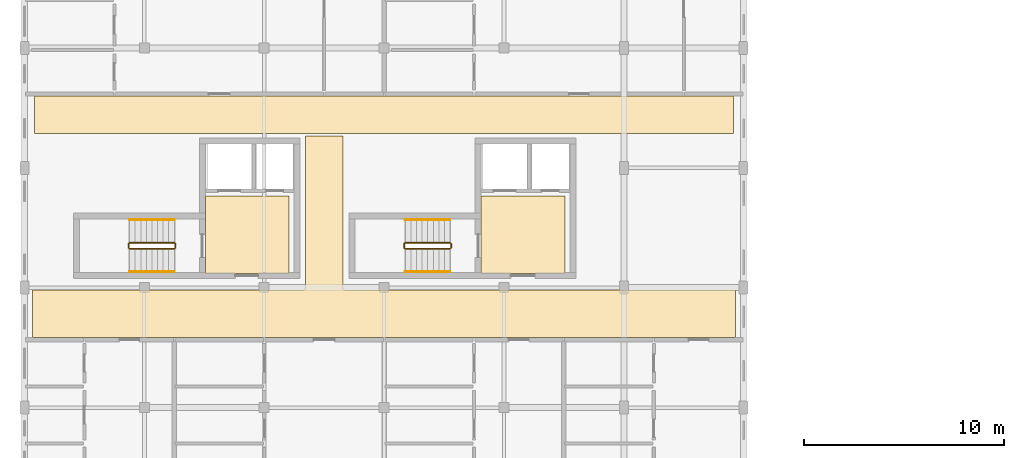
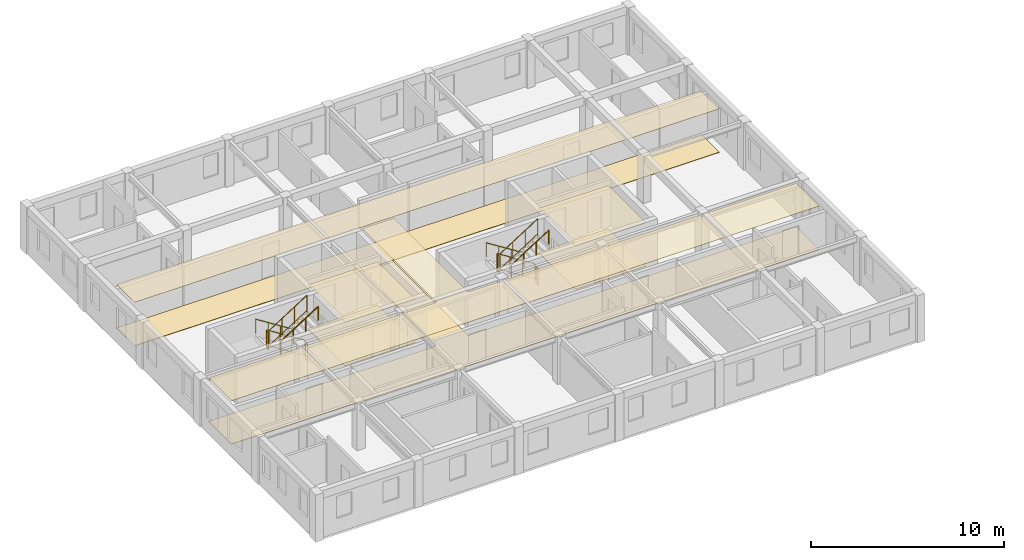
# One storey, part 20 of 23: 12 railings, 8 coverings.
"""IFC4 building model written with IfcOpenShell, lengths in metres."""

import ifcopenshell
import ifcopenshell.guid

model = None  # the IFC model being written
_history = None  # IfcOwnerHistory: only IFC2X3 demands one
_inside = {}  # id of a spatial element -> (the spatial element, [elements in it])
_under = {}  # id of a project, library or spatial element -> (it, [spatial elements below it])
_declared = {}  # id of a project -> (the project, [libraries it declares])
_typed = {}  # id of a type object -> (the type object, [elements of that type])
_made_of = {}  # id of a material, layer set ... -> (it, [elements and type objects made of it])


def new_model(schema):
    """Start an empty IFC model of exactly this schema.

    Asked for "IFC4X3", IfcOpenShell would pick the latest addendum, in which some entities
    have other attributes; the version numbers below select the first issue.
    IFC2X3 requires an IfcOwnerHistory on every rooted entity: one is made here for all.
    """
    global model, _history
    if schema == "IFC4X3":
        model = ifcopenshell.file(schema_version=(4, 3, 0, 0))
    else:
        model = ifcopenshell.file(schema=schema)
    _inside.clear()
    _under.clear()
    _declared.clear()
    _typed.clear()
    _made_of.clear()
    _history = None
    if model.schema == "IFC2X3":
        org = make("IfcOrganization", Name="unknown")
        user = make(
            "IfcPersonAndOrganization",
            ThePerson=make("IfcPerson", FamilyName="unknown"),
            TheOrganization=org,
        )
        app = make(
            "IfcApplication",
            ApplicationDeveloper=org,
            Version="unknown",
            ApplicationFullName="unknown",
            ApplicationIdentifier="unknown",
        )
        _history = make(
            "IfcOwnerHistory",
            OwningUser=user,
            OwningApplication=app,
            ChangeAction="ADDED",
            CreationDate=0,
        )
    return model


def make(cls, **values):
    """One entity of the class cls with the attributes given. An attribute that is None is left unset."""
    return model.create_entity(
        cls, **{name: value for name, value in values.items() if value is not None}
    )


def rooted(cls, **values):
    """An entity with a GlobalId (a new one), such as an element, a storey or a relation."""
    return make(cls, GlobalId=ifcopenshell.guid.new(), OwnerHistory=_history, **values)


def si_unit(unit_type, name, prefix=None):
    """IfcSIUnit, for example si_unit("LENGTHUNIT", "METRE", prefix="MILLI")."""
    return make("IfcSIUnit", UnitType=unit_type, Prefix=prefix, Name=name)


def assignment(units):
    """IfcUnitAssignment: the units of a project."""
    return None if units is None else make("IfcUnitAssignment", Units=units)


def point(xyz):
    """IfcCartesianPoint."""
    return None if xyz is None else make("IfcCartesianPoint", Coordinates=xyz)


def direction(xyz):
    """IfcDirection."""
    return None if xyz is None else make("IfcDirection", DirectionRatios=xyz)


def frame(location, z_axis=None, x_axis=None):
    """IfcAxis2Placement3D, a coordinate frame: its origin and axes. An axis left out is left unset."""
    return make(
        "IfcAxis2Placement3D",
        Location=point(location),
        Axis=direction(z_axis),
        RefDirection=direction(x_axis),
    )


def frame_2d(location, x_axis=None):
    """IfcAxis2Placement2D, a coordinate frame in the plane: its origin and x axis."""
    return make(
        "IfcAxis2Placement2D", Location=point(location), RefDirection=direction(x_axis)
    )


def origin():
    """The frame at (0, 0, 0) with its axes left unset."""
    return frame((0.0, 0.0, 0.0))


def origin_2d():
    """The frame at (0, 0) in the plane with its x axis left unset."""
    return frame_2d((0.0, 0.0))


def place(relative_to, where):
    """IfcLocalPlacement: puts the frame where relative to a parent placement (None: the world)."""
    return make(
        "IfcLocalPlacement", PlacementRelTo=relative_to, RelativePlacement=where
    )


def context(
    kind, dimensions, precision=None, world=None, true_north=None, identifier=None
):
    """IfcGeometricRepresentationContext, for example the 3D "Model" context."""
    return make(
        "IfcGeometricRepresentationContext",
        ContextIdentifier=identifier,
        ContextType=kind,
        CoordinateSpaceDimension=dimensions,
        Precision=precision,
        WorldCoordinateSystem=world,
        TrueNorth=true_north,
    )


def subcontext(parent, identifier, kind, view, scale=None):
    """IfcGeometricRepresentationSubContext, for example "Body" below "Model"."""
    return make(
        "IfcGeometricRepresentationSubContext",
        ContextIdentifier=identifier,
        ContextType=kind,
        ParentContext=parent,
        TargetScale=scale,
        TargetView=view,
    )


def project(units=None, contexts=None):
    """IfcProject with its units and contexts."""
    return rooted(
        "IfcProject",
        Name="project",
        RepresentationContexts=contexts,
        UnitsInContext=assignment(units),
    )


def spatial(cls, under=None, at=None, **own):
    """A site, building, storey or space (cls), placed at a placement, below another one or the project."""
    s = rooted(cls, ObjectPlacement=at, **own)
    if under is not None:
        _under.setdefault(under.id(), (under, []))[1].append(s)
    return s


def polyline(points):
    """IfcPolyline through the points."""
    return make("IfcPolyline", Points=[point(p) for p in points])


def profile(cls, at=None, kind="AREA", **sizes):
    """A parametric profile (cls). Its sizes go by their IFC names, for example OverallWidth=200.0."""
    return make(cls, ProfileType=kind, Position=at, **sizes)


def circle(**sizes):
    """IfcCircleProfileDef."""
    return profile("IfcCircleProfileDef", **sizes)


def outline(outer, holes=None, kind="AREA"):
    """IfcArbitraryClosedProfileDef: a profile drawn as a closed curve; with holes, ...WithVoids."""
    if holes is None:
        return make("IfcArbitraryClosedProfileDef", ProfileType=kind, OuterCurve=outer)
    return make(
        "IfcArbitraryProfileDefWithVoids",
        ProfileType=kind,
        OuterCurve=outer,
        InnerCurves=holes,
    )


def extrude(swept, where, along, depth):
    """IfcExtrudedAreaSolid: the profile swept, set in the frame where, extruded along a direction by depth."""
    return make(
        "IfcExtrudedAreaSolid",
        SweptArea=swept,
        Position=where,
        ExtrudedDirection=direction(along),
        Depth=depth,
    )


def shape(context_of_items, identifier, shape_type, items):
    """IfcShapeRepresentation: the items that make up one representation, for example the "Body"."""
    return make(
        "IfcShapeRepresentation",
        ContextOfItems=context_of_items,
        RepresentationIdentifier=identifier,
        RepresentationType=shape_type,
        Items=items,
    )


def material(Name=None, Category=None):
    """IfcMaterial."""
    return make("IfcMaterial", Name=Name, Category=Category)


def layer(
    of_material, thickness, ventilated=None, Name=None, Category=None, Priority=None
):
    """IfcMaterialLayer: one layer of a wall or slab, of a material (None: an air gap)."""
    return make(
        "IfcMaterialLayer",
        Material=of_material,
        LayerThickness=thickness,
        IsVentilated=ventilated,
        Name=Name,
        Category=Category,
        Priority=Priority,
    )


def layer_set(layers, Name=None):
    """IfcMaterialLayerSet."""
    return make("IfcMaterialLayerSet", MaterialLayers=layers, LayerSetName=Name)


def made_of(thing, what):
    """Note that an element or type object is made of a material, layer set ...; save() writes the relation."""
    if what is not None:
        _made_of.setdefault(what.id(), (what, []))[1].append(thing)
    return thing


def type_object(cls, material=None, **own):
    """A type object (cls), such as IfcWallType, which elements share."""
    return made_of(rooted(cls, **own), material)


def element(
    cls,
    number,
    at=None,
    inside=None,
    cuts=None,
    type_object=None,
    material=None,
    context=None,
    identifier="Body",
    shape_type=None,
    held_by="IfcProductDefinitionShape",
    body=None,
    shapes=None,
    **own,
):
    """One element of the class cls, such as IfcWall. Its Tag is "e" and its number.

    at: its placement. inside: the storey or other place that contains it. cuts: it is an
    opening in that element (IfcRelVoidsElement). A single representation is given by context,
    identifier, shape_type and body (its items); several are given by shapes. held_by: the class
    of the entity that holds the representations. save() writes the other relations.
    """
    e = rooted(cls, Tag="e%d" % number, ObjectPlacement=at, **own)
    if body is not None:
        shapes = [shape(context, identifier, shape_type, body)]
    if shapes is not None:
        e.Representation = make(held_by, Representations=shapes)
    if inside is not None:
        _inside.setdefault(inside.id(), (inside, []))[1].append(e)
    if cuts is not None:
        rooted(
            "IfcRelVoidsElement", RelatingBuildingElement=cuts, RelatedOpeningElement=e
        )
    if type_object is not None:
        _typed.setdefault(type_object.id(), (type_object, []))[1].append(e)
    return made_of(e, material)


def aggregate(whole, parts):
    """IfcRelAggregates: a whole, such as a stair, and the parts it consists of."""
    return rooted("IfcRelAggregates", RelatingObject=whole, RelatedObjects=parts)


def save(model, path):
    """Write the relations noted so far, then the file.

    IfcRelAggregates (storeys below a building ...), IfcRelContainedInSpatialStructure (elements
    in a storey), IfcRelDefinesByType, IfcRelAssociatesMaterial and IfcRelDeclares: one each for
    every whole, place, type object, material and project.
    """
    for whole, parts in _under.values():
        aggregate(whole, parts)
    for where, things in _inside.values():
        rooted(
            "IfcRelContainedInSpatialStructure",
            RelatedElements=things,
            RelatingStructure=where,
        )
    for kind, things in _typed.values():
        rooted("IfcRelDefinesByType", RelatedObjects=things, RelatingType=kind)
    for what, things in _made_of.values():
        rooted("IfcRelAssociatesMaterial", RelatedObjects=things, RelatingMaterial=what)
    for by, libraries in _declared.values():
        rooted("IfcRelDeclares", RelatingContext=by, RelatedDefinitions=libraries)
    model.write(path)


model = new_model("IFC4")

# Units and contexts
model_context = context("Model", 3, precision=1e-05, world=origin(), true_north=direction((0.0, 1.0)))
body_context = subcontext(model_context, "Body", "Model", "MODEL_VIEW")
ifc_project = project(units=[si_unit("LENGTHUNIT", "METRE"), si_unit("AREAUNIT", "SQUARE_METRE"), si_unit("VOLUMEUNIT", "CUBIC_METRE"), si_unit("PLANEANGLEUNIT", "RADIAN"), si_unit("MASSUNIT", "GRAM", prefix="KILO"), si_unit("POWERUNIT", "WATT"), si_unit("THERMODYNAMICTEMPERATUREUNIT", "KELVIN")], contexts=[model_context])

# Site, building, storey
site_placement = place(None, origin())
site = spatial("IfcSite", under=ifc_project, at=site_placement, CompositionType="ELEMENT")
building_placement = place(site_placement, origin())
building = spatial("IfcBuilding", under=site, at=building_placement, Name="Ruvembo Vaulted Housing Court", CompositionType="ELEMENT")
storey_placement = place(building_placement, frame((0.0, 0.0, 26.89990234375)))
storey = spatial("IfcBuildingStorey", under=building, at=storey_placement, Name="L08", CompositionType="ELEMENT", Elevation=26.89990234375)

# Coverings
ifc_material_1 = material(Name="Perforated Mineral-Fibre Acoustic Tile", Category="gypsum")
ifc_layer_1 = layer(ifc_material_1, 0.02001953125, Name="Perforated Mineral-Fibre Acoustic Tile")
ifc_layer_set_1 = layer_set([ifc_layer_1], Name="Perforated Mineral-Fibre Acoustic Tile")
covering_type_1 = type_object("IfcCoveringType", Name="COV-CEIL-ACOUST", PredefinedType="CEILING", material=ifc_layer_set_1)
covering_1_placement = place(storey_placement, frame((0.0, 0.0, 2.75)))
element("IfcCovering", 1, at=covering_1_placement, inside=storey, type_object=covering_type_1, Name="Firefighting Lift Lobby A1 Ceiling", PredefinedType="CEILING", context=body_context, shape_type="SweptSolid", body=[
    extrude(outline(polyline([(13.25, 22.60009765625), (9.050048828125, 22.60009765625), (9.050048828125, 18.699951171875), (13.25, 18.699951171875), (13.25, 22.60009765625)])), origin(), (0.0, 0.0, 1.0), 0.02001953125),
])
covering_2_placement = place(storey_placement, frame((0.0, 0.0, 2.75)))
element("IfcCovering", 2, at=covering_2_placement, inside=storey, type_object=covering_type_1, Name="Firefighting Lift Lobby A2 Ceiling", PredefinedType="CEILING", context=body_context, shape_type="SweptSolid", body=[
    extrude(outline(polyline([(27.050048828125, 22.60009765625), (22.85009765625, 22.60009765625), (22.85009765625, 18.699951171875), (27.050048828125, 18.699951171875), (27.050048828125, 22.60009765625)])), origin(), (0.0, 0.0, 1.0), 0.02001953125),
])
covering_3_placement = place(storey_placement, frame((0.0, 0.0, 2.75)))
element("IfcCovering", 3, at=covering_3_placement, inside=storey, type_object=covering_type_1, Name="Block A L08 Corridor Ceiling", PredefinedType="CEILING", context=body_context, shape_type="SweptSolid", body=[
    extrude(outline(polyline([(35.590087890625, 15.510009765625), (35.590087890625, 17.889892578125), (16.050048828125, 17.889892578125), (16.039306640625, 17.890380859375), (16.028564453125, 17.89208984375), (16.01806640625, 17.894775390625), (16.0078125, 17.8984375), (15.998046875, 17.903076171875), (15.989013671875, 17.908447265625), (15.980224609375, 17.9150390625), (15.97216796875, 17.922119140625), (15.965087890625, 17.93017578125), (15.95849609375, 17.93896484375), (15.952880859375, 17.947998046875), (15.948486328125, 17.9580078125), (15.944580078125, 17.968017578125), (15.942138671875, 17.978515625), (15.9404296875, 17.9892578125), (15.93994140625, 18.0), (15.93994140625, 25.590087890625), (14.06005859375, 25.590087890625), (14.06005859375, 18.0), (14.0595703125, 17.9892578125), (14.057861328125, 17.978515625), (14.055419921875, 17.968017578125), (14.051513671875, 17.9580078125), (14.047119140625, 17.947998046875), (14.04150390625, 17.93896484375), (14.034912109375, 17.93017578125), (14.02783203125, 17.922119140625), (14.019775390625, 17.9150390625), (14.010986328125, 17.908447265625), (14.001953125, 17.903076171875), (13.9921875, 17.8984375), (13.98193359375, 17.894775390625), (13.971435546875, 17.89208984375), (13.960693359375, 17.890380859375), (13.949951171875, 17.889892578125), (0.409912109375, 17.889892578125), (0.409912109375, 15.510009765625), (35.590087890625, 15.510009765625)])), origin(), (0.0, 0.0, 1.0), 0.02001953125),
])
covering_4_placement = place(storey_placement, frame((0.0, 0.0, 2.75)))
element("IfcCovering", 4, at=covering_4_placement, inside=storey, type_object=covering_type_1, Name="Block A L08 North Sub-Corridor Ceiling", PredefinedType="CEILING", context=body_context, shape_type="SweptSolid", body=[
    extrude(outline(polyline([(0.510009765625, 25.7099609375), (35.489990234375, 25.7099609375), (35.489990234375, 27.590087890625), (0.510009765625, 27.590087890625), (0.510009765625, 25.7099609375)])), origin(), (0.0, 0.0, 1.0), 0.02001953125),
])
ifc_material_2 = material(Name="Polished Cement-Aggregate Terrazzo", Category="stone")
ifc_layer_2 = layer(ifc_material_2, 0.02197265625, Name="Polished Cement-Aggregate Terrazzo")
ifc_layer_set_2 = layer_set([ifc_layer_2], Name="Polished Cement-Aggregate Terrazzo")
covering_type_2 = type_object("IfcCoveringType", Name="COV-FLR-CERAMIC", PredefinedType="FLOORING", material=ifc_layer_set_2)
covering_5_placement = place(storey_placement, origin())
element("IfcCovering", 5, at=covering_5_placement, inside=storey, type_object=covering_type_2, Name="Firefighting Lift Lobby A1 Flooring", PredefinedType="FLOORING", context=body_context, shape_type="SweptSolid", body=[
    extrude(outline(polyline([(13.25, 22.60009765625), (9.050048828125, 22.60009765625), (9.050048828125, 18.699951171875), (13.25, 18.699951171875), (13.25, 22.60009765625)])), origin(), (0.0, 0.0, 1.0), 0.022216796875),
])
covering_6_placement = place(storey_placement, origin())
element("IfcCovering", 6, at=covering_6_placement, inside=storey, type_object=covering_type_2, Name="Firefighting Lift Lobby A2 Flooring", PredefinedType="FLOORING", context=body_context, shape_type="SweptSolid", body=[
    extrude(outline(polyline([(27.050048828125, 22.60009765625), (22.85009765625, 22.60009765625), (22.85009765625, 18.699951171875), (27.050048828125, 18.699951171875), (27.050048828125, 22.60009765625)])), origin(), (0.0, 0.0, 1.0), 0.022216796875),
])
covering_7_placement = place(storey_placement, origin())
element("IfcCovering", 7, at=covering_7_placement, inside=storey, type_object=covering_type_2, Name="Block A L08 Corridor Flooring", PredefinedType="FLOORING", context=body_context, shape_type="SweptSolid", body=[
    extrude(outline(polyline([(35.590087890625, 15.510009765625), (35.590087890625, 17.889892578125), (16.050048828125, 17.889892578125), (16.039306640625, 17.890380859375), (16.028564453125, 17.89208984375), (16.01806640625, 17.894775390625), (16.0078125, 17.8984375), (15.998046875, 17.903076171875), (15.989013671875, 17.908447265625), (15.980224609375, 17.9150390625), (15.97216796875, 17.922119140625), (15.965087890625, 17.93017578125), (15.95849609375, 17.93896484375), (15.952880859375, 17.947998046875), (15.948486328125, 17.9580078125), (15.944580078125, 17.968017578125), (15.942138671875, 17.978515625), (15.9404296875, 17.9892578125), (15.93994140625, 18.0), (15.93994140625, 25.590087890625), (14.06005859375, 25.590087890625), (14.06005859375, 18.0), (14.0595703125, 17.9892578125), (14.057861328125, 17.978515625), (14.055419921875, 17.968017578125), (14.051513671875, 17.9580078125), (14.047119140625, 17.947998046875), (14.04150390625, 17.93896484375), (14.034912109375, 17.93017578125), (14.02783203125, 17.922119140625), (14.019775390625, 17.9150390625), (14.010986328125, 17.908447265625), (14.001953125, 17.903076171875), (13.9921875, 17.8984375), (13.98193359375, 17.894775390625), (13.971435546875, 17.89208984375), (13.960693359375, 17.890380859375), (13.949951171875, 17.889892578125), (0.409912109375, 17.889892578125), (0.409912109375, 15.510009765625), (35.590087890625, 15.510009765625)])), origin(), (0.0, 0.0, 1.0), 0.022216796875),
])
covering_8_placement = place(storey_placement, origin())
element("IfcCovering", 8, at=covering_8_placement, inside=storey, type_object=covering_type_2, Name="Block A L08 North Sub-Corridor Flooring", PredefinedType="FLOORING", context=body_context, shape_type="SweptSolid", body=[
    extrude(outline(polyline([(0.510009765625, 25.7099609375), (35.489990234375, 25.7099609375), (35.489990234375, 27.590087890625), (0.510009765625, 27.590087890625), (0.510009765625, 25.7099609375)])), origin(), (0.0, 0.0, 1.0), 0.022216796875),
])

# Railings
ifc_material_3 = material(Name="Painted Galvanised Steel S275", Category="steel")
ifc_layer_3 = layer(ifc_material_3, 0.06005859375, Name="Painted Galvanised Steel S275")
ifc_layer_set_3 = layer_set([ifc_layer_3], Name="Painted Galvanised Steel S275")
railing_type_1 = type_object("IfcRailingType", Name="RL-STAIR-GR1100", PredefinedType="GUARDRAIL", material=ifc_layer_set_3)
railing_1_placement = place(storey_placement, frame((7.5, 20.25, 0.177978515625)))
element("IfcRailing", 9, at=railing_1_placement, inside=storey, type_object=railing_type_1, Name="L08 ST-A1 stair guard 1", PredefinedType="GUARDRAIL", context=body_context, shape_type="SweptSolid", body=[
    extrude(circle(Radius=0.02392578125, at=origin_2d()), frame((0.0, 0.0, 1.076171875), z_axis=(-0.8442293374, 0.0, 0.53598211339), x_axis=(0.0, -1.0, 0.0)), (0.0, 0.0, 1.0), 2.6533203125),
    extrude(circle(Radius=0.01806640625, at=origin_2d()), frame((0.0, 0.0, 0.1201171875), z_axis=(-0.8442293374, 0.0, 0.53598211339), x_axis=(0.0, -1.0, 0.0)), (0.0, 0.0, 1.0), 2.6533203125),
    extrude(circle(Radius=0.02099609375, at=origin_2d()), origin(), (0.0, 0.0, 1.0), 1.052001953125),
    extrude(circle(Radius=0.02099609375, at=origin_2d()), frame((-0.74658203125, 0.0, 0.47412109375)), (0.0, 0.0, 1.0), 1.052001953125),
    extrude(circle(Radius=0.02099609375, at=origin_2d()), frame((-1.493408203125, 0.0, 0.947998046875)), (0.0, 0.0, 1.0), 1.052001953125),
    extrude(circle(Radius=0.02099609375, at=origin_2d()), frame((-2.239990234375, 0.0, 1.422119140625)), (0.0, 0.0, 1.0), 1.052001953125),
])
railing_2_placement = place(storey_placement, frame((5.2099609375, 20.199951171875, 1.60009765625)))
element("IfcRailing", 10, at=railing_2_placement, inside=storey, type_object=railing_type_1, Name="L08 ST-A1 stair guard 2", PredefinedType="GUARDRAIL", context=body_context, shape_type="SweptSolid", body=[
    extrude(circle(Radius=0.02392578125, at=origin_2d()), frame((0.0, 0.0, 1.076171875), z_axis=(0.0, -1.0, 0.0), x_axis=(1.0, 0.0, 0.0)), (0.0, 0.0, 1.0), 0.199951171875),
    extrude(circle(Radius=0.01806640625, at=origin_2d()), frame((0.0, 0.0, 0.1201171875), z_axis=(0.0, -1.0, 0.0), x_axis=(1.0, 0.0, 0.0)), (0.0, 0.0, 1.0), 0.199951171875),
    extrude(circle(Radius=0.02099609375, at=origin_2d()), origin(), (0.0, 0.0, 1.0), 1.052001953125),
    extrude(circle(Radius=0.02099609375, at=origin_2d()), frame((0.0, -0.199951171875, 0.0)), (0.0, 0.0, 1.0), 1.052001953125),
])
railing_3_placement = place(storey_placement, frame((5.260009765625, 19.949951171875, 1.77783203125)))
element("IfcRailing", 11, at=railing_3_placement, inside=storey, type_object=railing_type_1, Name="L08 ST-A1 stair guard 3", PredefinedType="GUARDRAIL", context=body_context, shape_type="SweptSolid", body=[
    extrude(circle(Radius=0.02392578125, at=origin_2d()), frame((0.0, 0.0, 1.076171875), z_axis=(0.84418770128, 0.0, 0.536047689118), x_axis=(0.0, 1.0, 0.0)), (0.0, 0.0, 1.0), 2.6533203125),
    extrude(circle(Radius=0.01806640625, at=origin_2d()), frame((0.0, 0.0, 0.1201171875), z_axis=(0.84418770128, 0.0, 0.536047689118), x_axis=(0.0, 1.0, 0.0)), (0.0, 0.0, 1.0), 2.6533203125),
    extrude(circle(Radius=0.02099609375, at=origin_2d()), origin(), (0.0, 0.0, 1.0), 1.052001953125),
    extrude(circle(Radius=0.02099609375, at=origin_2d()), frame((0.74658203125, 0.0, 0.47412109375)), (0.0, 0.0, 1.0), 1.052001953125),
    extrude(circle(Radius=0.02099609375, at=origin_2d()), frame((1.493408203125, 0.0, 0.9482421875)), (0.0, 0.0, 1.0), 1.052001953125),
    extrude(circle(Radius=0.02099609375, at=origin_2d()), frame((2.239990234375, 0.0, 1.42236328125)), (0.0, 0.0, 1.0), 1.052001953125),
])
railing_4_placement = place(storey_placement, frame((7.550048828125, 20.199951171875, 0.0)))
element("IfcRailing", 12, at=railing_4_placement, inside=storey, type_object=railing_type_1, Name="L08 ST-A1 stair guard 4", PredefinedType="GUARDRAIL", context=body_context, shape_type="SweptSolid", body=[
    extrude(circle(Radius=0.02392578125, at=origin_2d()), frame((0.0, 0.0, 1.076171875), z_axis=(0.0, -1.0, 0.0), x_axis=(1.0, 0.0, 0.0)), (0.0, 0.0, 1.0), 0.199951171875),
    extrude(circle(Radius=0.01806640625, at=origin_2d()), frame((0.0, 0.0, 0.1201171875), z_axis=(0.0, -1.0, 0.0), x_axis=(1.0, 0.0, 0.0)), (0.0, 0.0, 1.0), 0.199951171875),
    extrude(circle(Radius=0.02099609375, at=origin_2d()), origin(), (0.0, 0.0, 1.0), 1.052001953125),
    extrude(circle(Radius=0.02099609375, at=origin_2d()), frame((0.0, -0.199951171875, 0.0)), (0.0, 0.0, 1.0), 1.052001953125),
])
railing_5_placement = place(storey_placement, frame((21.300048828125, 20.25, 0.177978515625)))
element("IfcRailing", 13, at=railing_5_placement, inside=storey, type_object=railing_type_1, Name="L08 ST-A2 stair guard 1", PredefinedType="GUARDRAIL", context=body_context, shape_type="SweptSolid", body=[
    extrude(circle(Radius=0.02392578125, at=origin_2d()), frame((0.0, 0.0, 1.076171875), z_axis=(-0.8442293374, 0.0, 0.53598211339), x_axis=(0.0, -1.0, 0.0)), (0.0, 0.0, 1.0), 2.6533203125),
    extrude(circle(Radius=0.01806640625, at=origin_2d()), frame((0.0, 0.0, 0.1201171875), z_axis=(-0.8442293374, 0.0, 0.53598211339), x_axis=(0.0, -1.0, 0.0)), (0.0, 0.0, 1.0), 2.6533203125),
    extrude(circle(Radius=0.02099609375, at=origin_2d()), origin(), (0.0, 0.0, 1.0), 1.052001953125),
    extrude(circle(Radius=0.02099609375, at=origin_2d()), frame((-0.74658203125, 0.0, 0.47412109375)), (0.0, 0.0, 1.0), 1.052001953125),
    extrude(circle(Radius=0.02099609375, at=origin_2d()), frame((-1.493408203125, 0.0, 0.947998046875)), (0.0, 0.0, 1.0), 1.052001953125),
    extrude(circle(Radius=0.02099609375, at=origin_2d()), frame((-2.239990234375, 0.0, 1.422119140625)), (0.0, 0.0, 1.0), 1.052001953125),
])
railing_6_placement = place(storey_placement, frame((19.010009765625, 20.199951171875, 1.60009765625)))
element("IfcRailing", 14, at=railing_6_placement, inside=storey, type_object=railing_type_1, Name="L08 ST-A2 stair guard 2", PredefinedType="GUARDRAIL", context=body_context, shape_type="SweptSolid", body=[
    extrude(circle(Radius=0.02392578125, at=origin_2d()), frame((0.0, 0.0, 1.076171875), z_axis=(0.0, -1.0, 0.0), x_axis=(1.0, 0.0, 0.0)), (0.0, 0.0, 1.0), 0.199951171875),
    extrude(circle(Radius=0.01806640625, at=origin_2d()), frame((0.0, 0.0, 0.1201171875), z_axis=(0.0, -1.0, 0.0), x_axis=(1.0, 0.0, 0.0)), (0.0, 0.0, 1.0), 0.199951171875),
    extrude(circle(Radius=0.02099609375, at=origin_2d()), origin(), (0.0, 0.0, 1.0), 1.052001953125),
    extrude(circle(Radius=0.02099609375, at=origin_2d()), frame((0.0, -0.199951171875, 0.0)), (0.0, 0.0, 1.0), 1.052001953125),
])
railing_7_placement = place(storey_placement, frame((19.06005859375, 19.949951171875, 1.77783203125)))
element("IfcRailing", 15, at=railing_7_placement, inside=storey, type_object=railing_type_1, Name="L08 ST-A2 stair guard 3", PredefinedType="GUARDRAIL", context=body_context, shape_type="SweptSolid", body=[
    extrude(circle(Radius=0.02392578125, at=origin_2d()), frame((0.0, 0.0, 1.076171875), z_axis=(0.84418770128, 0.0, 0.536047689118), x_axis=(0.0, 1.0, 0.0)), (0.0, 0.0, 1.0), 2.6533203125),
    extrude(circle(Radius=0.01806640625, at=origin_2d()), frame((0.0, 0.0, 0.1201171875), z_axis=(0.84418770128, 0.0, 0.536047689118), x_axis=(0.0, 1.0, 0.0)), (0.0, 0.0, 1.0), 2.6533203125),
    extrude(circle(Radius=0.02099609375, at=origin_2d()), origin(), (0.0, 0.0, 1.0), 1.052001953125),
    extrude(circle(Radius=0.02099609375, at=origin_2d()), frame((0.74658203125, 0.0, 0.47412109375)), (0.0, 0.0, 1.0), 1.052001953125),
    extrude(circle(Radius=0.02099609375, at=origin_2d()), frame((1.493408203125, 0.0, 0.9482421875)), (0.0, 0.0, 1.0), 1.052001953125),
    extrude(circle(Radius=0.02099609375, at=origin_2d()), frame((2.239990234375, 0.0, 1.42236328125)), (0.0, 0.0, 1.0), 1.052001953125),
])
railing_8_placement = place(storey_placement, frame((21.35009765625, 20.199951171875, 0.0)))
element("IfcRailing", 16, at=railing_8_placement, inside=storey, type_object=railing_type_1, Name="L08 ST-A2 stair guard 4", PredefinedType="GUARDRAIL", context=body_context, shape_type="SweptSolid", body=[
    extrude(circle(Radius=0.02392578125, at=origin_2d()), frame((0.0, 0.0, 1.076171875), z_axis=(0.0, -1.0, 0.0), x_axis=(1.0, 0.0, 0.0)), (0.0, 0.0, 1.0), 0.199951171875),
    extrude(circle(Radius=0.01806640625, at=origin_2d()), frame((0.0, 0.0, 0.1201171875), z_axis=(0.0, -1.0, 0.0), x_axis=(1.0, 0.0, 0.0)), (0.0, 0.0, 1.0), 0.199951171875),
    extrude(circle(Radius=0.02099609375, at=origin_2d()), origin(), (0.0, 0.0, 1.0), 1.052001953125),
    extrude(circle(Radius=0.02099609375, at=origin_2d()), frame((0.0, -0.199951171875, 0.0)), (0.0, 0.0, 1.0), 1.052001953125),
])
ifc_material_4 = material(Name="Brushed Stainless Steel 304", Category="steel")
ifc_layer_4 = layer(ifc_material_4, 0.050048828125, Name="Brushed Stainless Steel 304")
ifc_layer_set_4 = layer_set([ifc_layer_4], Name="Brushed Stainless Steel 304")
railing_type_2 = type_object("IfcRailingType", Name="RL-STAIR-HR920", PredefinedType="HANDRAIL", material=ifc_layer_set_4)
railing_9_placement = place(storey_placement, frame((7.5, 21.39990234375, 0.359375)))
element("IfcRailing", 17, at=railing_9_placement, inside=storey, type_object=railing_type_2, Name="L08 ST-A1 stair handrail 1", PredefinedType="HANDRAIL", context=body_context, shape_type="SweptSolid", body=[
    extrude(circle(Radius=0.02392578125, at=origin_2d()), frame((0.0, 0.0, 0.8759765625), z_axis=(-0.8442293374, 0.0, 0.53598211339), x_axis=(0.0, -1.0, 0.0)), (0.0, 0.0, 1.0), 2.6533203125),
    extrude(circle(Radius=0.02099609375, at=origin_2d()), origin(), (0.0, 0.0, 1.0), 0.851806640625),
    extrude(circle(Radius=0.02099609375, at=origin_2d()), frame((-0.74658203125, 0.0, 0.47412109375)), (0.0, 0.0, 1.0), 0.851806640625),
    extrude(circle(Radius=0.02099609375, at=origin_2d()), frame((-1.493408203125, 0.0, 0.947998046875)), (0.0, 0.0, 1.0), 0.851806640625),
    extrude(circle(Radius=0.02099609375, at=origin_2d()), frame((-2.239990234375, 0.0, 1.422119140625)), (0.0, 0.0, 1.0), 0.851806640625),
])
railing_10_placement = place(storey_placement, frame((5.260009765625, 18.800048828125, 1.95947265625)))
element("IfcRailing", 18, at=railing_10_placement, inside=storey, type_object=railing_type_2, Name="L08 ST-A1 stair handrail 2", PredefinedType="HANDRAIL", context=body_context, shape_type="SweptSolid", body=[
    extrude(circle(Radius=0.02392578125, at=origin_2d()), frame((0.0, 0.0, 0.8759765625), z_axis=(0.8442293374, 0.0, 0.53598211339), x_axis=(0.0, 1.0, 0.0)), (0.0, 0.0, 1.0), 2.6533203125),
    extrude(circle(Radius=0.02099609375, at=origin_2d()), origin(), (0.0, 0.0, 1.0), 0.851806640625),
    extrude(circle(Radius=0.02099609375, at=origin_2d()), frame((0.74658203125, 0.0, 0.47412109375)), (0.0, 0.0, 1.0), 0.851806640625),
    extrude(circle(Radius=0.02099609375, at=origin_2d()), frame((1.493408203125, 0.0, 0.947998046875)), (0.0, 0.0, 1.0), 0.851806640625),
    extrude(circle(Radius=0.02099609375, at=origin_2d()), frame((2.239990234375, 0.0, 1.422119140625)), (0.0, 0.0, 1.0), 0.851806640625),
])
railing_11_placement = place(storey_placement, frame((21.300048828125, 21.39990234375, 0.359375)))
element("IfcRailing", 19, at=railing_11_placement, inside=storey, type_object=railing_type_2, Name="L08 ST-A2 stair handrail 1", PredefinedType="HANDRAIL", context=body_context, shape_type="SweptSolid", body=[
    extrude(circle(Radius=0.02392578125, at=origin_2d()), frame((0.0, 0.0, 0.8759765625), z_axis=(-0.8442293374, 0.0, 0.53598211339), x_axis=(0.0, -1.0, 0.0)), (0.0, 0.0, 1.0), 2.6533203125),
    extrude(circle(Radius=0.02099609375, at=origin_2d()), origin(), (0.0, 0.0, 1.0), 0.851806640625),
    extrude(circle(Radius=0.02099609375, at=origin_2d()), frame((-0.74658203125, 0.0, 0.47412109375)), (0.0, 0.0, 1.0), 0.851806640625),
    extrude(circle(Radius=0.02099609375, at=origin_2d()), frame((-1.493408203125, 0.0, 0.947998046875)), (0.0, 0.0, 1.0), 0.851806640625),
    extrude(circle(Radius=0.02099609375, at=origin_2d()), frame((-2.239990234375, 0.0, 1.422119140625)), (0.0, 0.0, 1.0), 0.851806640625),
])
railing_12_placement = place(storey_placement, frame((19.06005859375, 18.800048828125, 1.95947265625)))
element("IfcRailing", 20, at=railing_12_placement, inside=storey, type_object=railing_type_2, Name="L08 ST-A2 stair handrail 2", PredefinedType="HANDRAIL", context=body_context, shape_type="SweptSolid", body=[
    extrude(circle(Radius=0.02392578125, at=origin_2d()), frame((0.0, 0.0, 0.8759765625), z_axis=(0.8442293374, 0.0, 0.53598211339), x_axis=(0.0, 1.0, 0.0)), (0.0, 0.0, 1.0), 2.6533203125),
    extrude(circle(Radius=0.02099609375, at=origin_2d()), origin(), (0.0, 0.0, 1.0), 0.851806640625),
    extrude(circle(Radius=0.02099609375, at=origin_2d()), frame((0.74658203125, 0.0, 0.47412109375)), (0.0, 0.0, 1.0), 0.851806640625),
    extrude(circle(Radius=0.02099609375, at=origin_2d()), frame((1.493408203125, 0.0, 0.947998046875)), (0.0, 0.0, 1.0), 0.851806640625),
    extrude(circle(Radius=0.02099609375, at=origin_2d()), frame((2.239990234375, 0.0, 1.422119140625)), (0.0, 0.0, 1.0), 0.851806640625),
])

save(model, "model.ifc")
